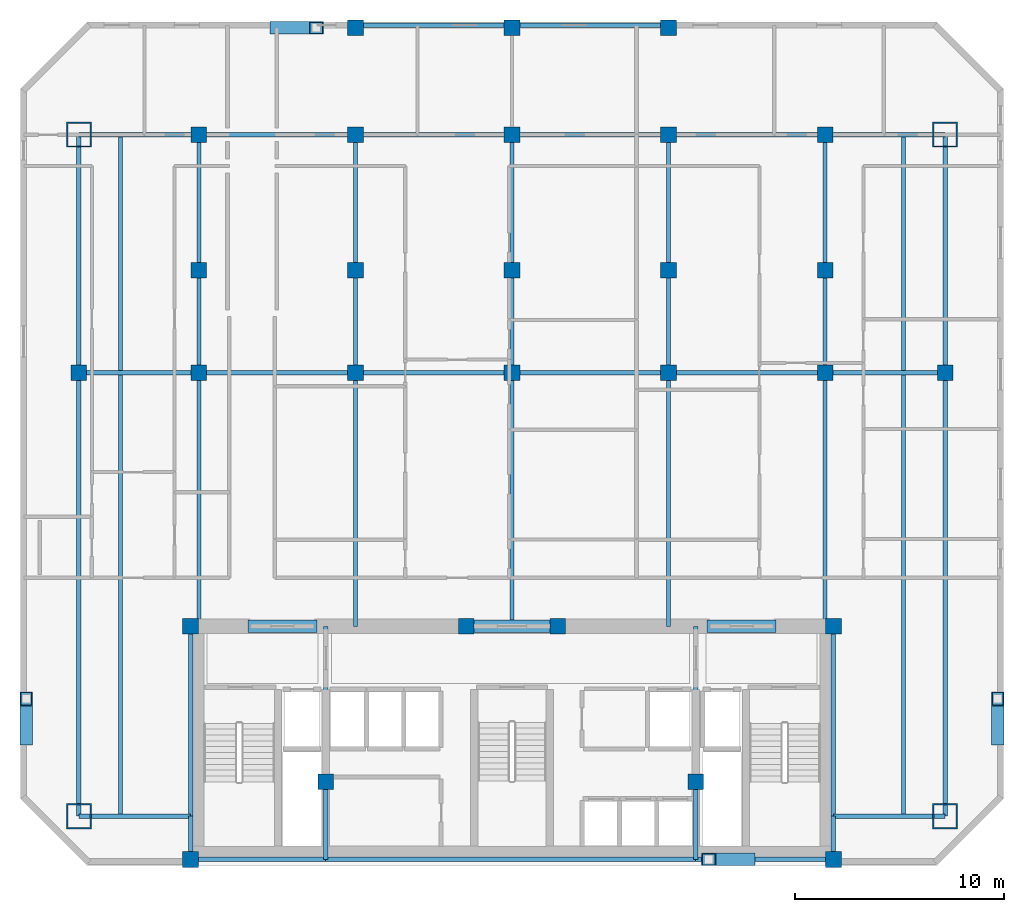
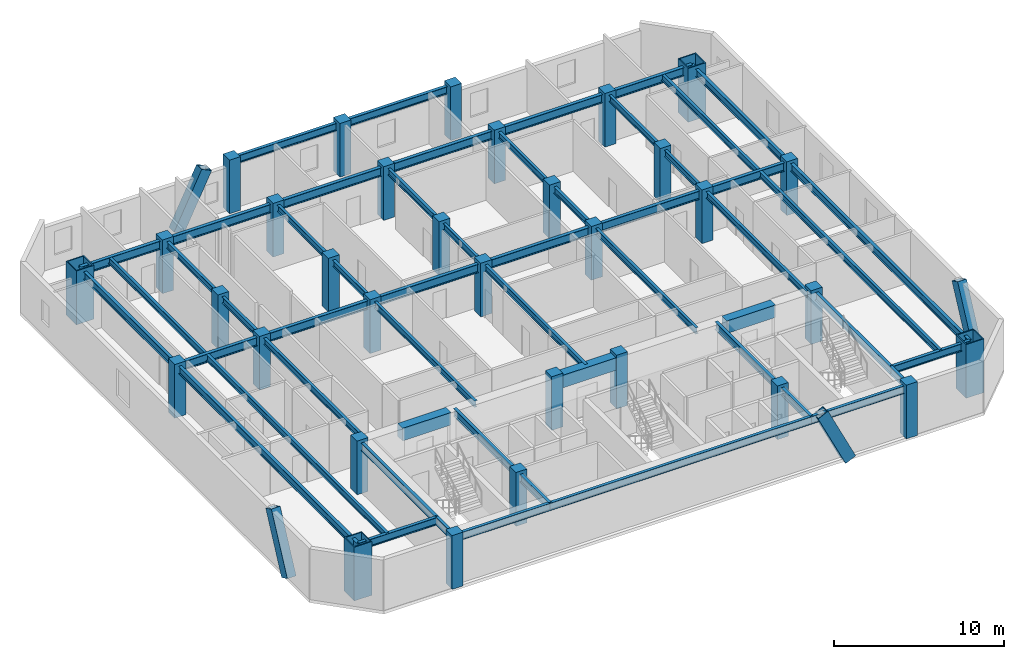
# One storey, part 1 of 8: 48 beams, 32 columns, 4 members.
"""IFC4 building model written with IfcOpenShell, lengths in metres."""

from ifc_helpers import new_model, si_unit, direction, frame, origin, origin_2d, place, context, subcontext, project, spatial, rectangle, hollow_rectangle, i_section, extrude, material, material_profile, profile_set, type_object, element, save


model = new_model("IFC4")

# Units and contexts
model_context = context("Model", 3, precision=1e-05, world=origin(), true_north=direction((0.0, 1.0)))
body_context = subcontext(model_context, "Body", "Model", "MODEL_VIEW")
ifc_project = project(units=[si_unit("LENGTHUNIT", "METRE"), si_unit("AREAUNIT", "SQUARE_METRE"), si_unit("VOLUMEUNIT", "CUBIC_METRE"), si_unit("PLANEANGLEUNIT", "RADIAN"), si_unit("MASSUNIT", "GRAM", prefix="KILO")], contexts=[model_context])

# Site, building, storey
site_placement = place(None, origin())
site = spatial("IfcSite", under=ifc_project, at=site_placement, CompositionType="ELEMENT")
building_placement = place(site_placement, origin())
building = spatial("IfcBuilding", under=site, at=building_placement, Name="Ventersveld Concourse Tower", CompositionType="ELEMENT")
storey_placement = place(building_placement, frame((0.0, 0.0, 164.449951171875)))
storey = spatial("IfcBuildingStorey", under=building, at=storey_placement, Name="L40", CompositionType="ELEMENT", Elevation=164.449951171875)

# Columns
ifc_material_1 = material(Name="Concrete C50/60", Category="concrete")
ifc_material_profile_1 = material_profile(ifc_material_1, rectangle(XDim=0.75, YDim=0.75, at=origin_2d()), Name="RC 750x750")
ifc_profile_set_1 = profile_set([ifc_material_profile_1], Name="Concrete C50/60")
column_type_1 = type_object("IfcColumnType", Name="COL-RC750", PredefinedType="COLUMN", material=ifc_profile_set_1)
for number, where, z_axis, x_axis, name in (
    (1, (13.35009765625, 0.280029296875, 0.0), (0.0, 0.0, 1.0), (1.0, 0.0, 0.0), "L40 Core Spine Column CC-SW"),
    (2, (44.14990234375, 0.280029296875, 0.0), (0.0, 0.0, 1.0), (1.0, 0.0, 0.0), "L40 Core Spine Column CC-SE"),
    (3, (13.35009765625, 11.449951171875, 0.0), (0.0, 0.0, 1.0), (1.0, 0.0, 0.0), "L40 Core Spine Column CC-NW"),
    (4, (44.14990234375, 11.449951171875, 0.0), (0.0, 0.0, 1.0), (1.0, 0.0, 0.0), "L40 Core Spine Column CC-NE"),
    (5, (19.820068359375, 4.0, 0.0), (0.0, 0.0, 1.0), (1.0, 0.0, 0.0), "L40 Core Spine Column CM-1"),
    (6, (37.550048828125, 4.0, 0.0), (0.0, 0.0, 1.0), (1.0, 0.0, 0.0), "L40 Core Spine Column CM-2"),
    (7, (26.550048828125, 11.449951171875, 0.0), (0.0, 0.0, 1.0), (1.0, 0.0, 0.0), "L40 Core Spine Column CM-3"),
    (8, (30.949951171875, 11.449951171875, 0.0), (0.0, 0.0, 1.0), (1.0, 0.0, 0.0), "L40 Core Spine Column CM-4"),
    (9, (8.0, 23.60009765625, 0.0), (0.0, 0.0, 1.0), (1.0, 0.0, 0.0), "L40 Interior Gravity Column X=8.00 Y=23.60"),
    (10, (13.75, 23.60009765625, 0.0), (0.0, 0.0, 1.0), (1.0, 0.0, 0.0), "L40 Interior Gravity Column X=13.75 Y=23.60"),
    (11, (21.25, 23.60009765625, 0.0), (0.0, 0.0, 1.0), (1.0, 0.0, 0.0), "L40 Interior Gravity Column X=21.25 Y=23.60"),
    (12, (28.75, 23.60009765625, 0.0), (0.0, 0.0, 1.0), (1.0, 0.0, 0.0), "L40 Interior Gravity Column X=28.75 Y=23.60"),
    (13, (36.25, 23.60009765625, 0.0), (0.0, 0.0, 1.0), (1.0, 0.0, 0.0), "L40 Interior Gravity Column X=36.25 Y=23.60"),
    (14, (43.75, 23.60009765625, 0.0), (0.0, 0.0, 1.0), (1.0, 0.0, 0.0), "L40 Interior Gravity Column X=43.75 Y=23.60"),
    (15, (49.5, 23.60009765625, 0.0), (0.0, 0.0, 1.0), (1.0, 0.0, 0.0), "L40 Interior Gravity Column X=49.50 Y=23.60"),
    (16, (13.75, 28.5, 0.0), (0.0, 0.0, 1.0), (1.0, 0.0, 0.0), "L40 Upper-North Gravity Column X=13.75 Y=28.50"),
    (17, (21.25, 28.5, 0.0), (0.0, 0.0, 1.0), (1.0, 0.0, 0.0), "L40 Upper-North Gravity Column X=21.25 Y=28.50"),
    (18, (28.75, 28.5, 0.0), (0.0, 0.0, 1.0), (1.0, 0.0, 0.0), "L40 Upper-North Gravity Column X=28.75 Y=28.50"),
    (19, (36.25, 28.5, 0.0), (0.0, 0.0, 1.0), (1.0, 0.0, 0.0), "L40 Upper-North Gravity Column X=36.25 Y=28.50"),
    (20, (43.75, 28.5, 0.0), (0.0, 0.0, 1.0), (1.0, 0.0, 0.0), "L40 Upper-North Gravity Column X=43.75 Y=28.50"),
    (21, (21.25, 40.1201171875, 0.0), (0.0, 0.0, 1.0), (1.0, 0.0, 0.0), "L40 North Brace Node Column X=21.25 Y=40.12"),
    (22, (28.75, 40.1201171875, 0.0), (0.0, 0.0, 1.0), (1.0, 0.0, 0.0), "L40 North Brace Node Column X=28.75 Y=40.12"),
    (23, (36.25, 40.1201171875, 0.0), (0.0, 0.0, 1.0), (1.0, 0.0, 0.0), "L40 North Brace Node Column X=36.25 Y=40.12"),
    (24, (13.75, 35.0, 0.0), (0.0, 0.0, 1.0), (1.0, 0.0, 0.0), "L40 Mid-North Column X=13.75 Y=35.00"),
    (25, (21.25, 35.0, 0.0), (0.0, 0.0, 1.0), (1.0, 0.0, 0.0), "L40 Mid-North Column X=21.25 Y=35.00"),
    (26, (28.75, 35.0, 0.0), (0.0, 0.0, 1.0), (1.0, 0.0, 0.0), "L40 Mid-North Column X=28.75 Y=35.00"),
    (27, (36.25, 35.0, 0.0), (0.0, 0.0, 1.0), (1.0, 0.0, 0.0), "L40 Mid-North Column X=36.25 Y=35.00"),
    (28, (43.75, 35.0, 0.0), (0.0, 0.0, 1.0), (1.0, 0.0, 0.0), "L40 Mid-North Column X=43.75 Y=35.00"),
):
    element("IfcColumn", number, at=place(storey_placement, frame(where, z_axis=z_axis, x_axis=x_axis)), inside=storey, type_object=column_type_1, Name=name, PredefinedType="COLUMN", context=body_context, shape_type="SweptSolid", body=[
        extrude(rectangle(XDim=0.75, YDim=0.75, at=origin_2d()), origin(), (0.0, 0.0, 1.0), 3.85009765625),
    ])
ifc_material_2 = material(Name="Structural steel S460ML", Category="steel")
ifc_material_profile_2 = material_profile(ifc_material_2, hollow_rectangle(XDim=1.199951171875, YDim=1.199951171875, WallThickness=0.070068359375, at=origin_2d()), Name="BOX 1200x1200x70")
ifc_profile_set_2 = profile_set([ifc_material_profile_2], Name="Structural steel S460ML")
column_type_2 = type_object("IfcColumnType", Name="MC-1200", PredefinedType="USERDEFINED", material=ifc_profile_set_2)
for number, where, z_axis, x_axis, name in (
    (29, (8.0, 2.35009765625, 0.0), (0.0, 0.0, 1.0), (1.0, 0.0, 0.0), "L40 Corner Mega-Column MC-SW"),
    (30, (49.5, 2.35009765625, 0.0), (0.0, 0.0, 1.0), (1.0, 0.0, 0.0), "L40 Corner Mega-Column MC-SE"),
    (31, (49.5, 35.0, 0.0), (0.0, 0.0, 1.0), (1.0, 0.0, 0.0), "L40 Corner Mega-Column MC-NE"),
    (32, (8.0, 35.0, 0.0), (0.0, 0.0, 1.0), (1.0, 0.0, 0.0), "L40 Corner Mega-Column MC-NW"),
):
    element("IfcColumn", number, at=place(storey_placement, frame(where, z_axis=z_axis, x_axis=x_axis)), inside=storey, type_object=column_type_2, Name=name, ObjectType="MEGA_COLUMN", PredefinedType="USERDEFINED", context=body_context, shape_type="SweptSolid", body=[
        extrude(hollow_rectangle(XDim=1.199951171875, YDim=1.199951171875, WallThickness=0.070068359375, at=origin_2d()), origin(), (0.0, 0.0, 1.0), 3.85009765625),
    ])

# Beams
ifc_material_3 = material(Name="Structural steel S355J2", Category="steel")
ifc_material_profile_3 = material_profile(ifc_material_3, i_section(OverallWidth=0.18994140625, OverallDepth=0.453369140625, WebThickness=0.008544921875, FlangeThickness=0.0126953125, FilletRadius=0.01025390625, at=origin_2d()), Name="UB 457x191x67")
ifc_profile_set_3 = profile_set([ifc_material_profile_3], Name="Structural steel S355J2")
beam_type_1 = type_object("IfcBeamType", Name="BM-UB457", PredefinedType="BEAM", material=ifc_profile_set_3)
beam_1_placement = place(storey_placement, frame((10.0, 2.35009765625, 3.4033203125), z_axis=(0.0, 1.0, 0.0), x_axis=(-1.0, 0.0, 0.0)))
element("IfcBeam", 33, at=beam_1_placement, inside=storey, type_object=beam_type_1, Name="L40 N-S Composite Floor Beam South X=10.00", PredefinedType="BEAM", context=body_context, shape_type="SweptSolid", body=[
    extrude(i_section(OverallWidth=0.18994140625, OverallDepth=0.453369140625, WebThickness=0.008544921875, FlangeThickness=0.0126953125, FilletRadius=0.01025390625, at=origin_2d()), origin(), (0.0, 0.0, 1.0), 21.15478515625),
])
beam_2_placement = place(storey_placement, frame((10.0, 23.695068359375, 3.4033203125), z_axis=(0.0, 1.0, 0.0), x_axis=(-1.0, 0.0, 0.0)))
element("IfcBeam", 34, at=beam_2_placement, inside=storey, type_object=beam_type_1, Name="L40 N-S Composite Floor Beam Mid X=10.00", PredefinedType="BEAM", context=body_context, shape_type="SweptSolid", body=[
    extrude(i_section(OverallWidth=0.18994140625, OverallDepth=0.453369140625, WebThickness=0.008544921875, FlangeThickness=0.0126953125, FilletRadius=0.01025390625, at=origin_2d()), origin(), (0.0, 0.0, 1.0), 11.304931640625),
])
beam_3_placement = place(storey_placement, frame((13.75, 11.449951171875, 3.4033203125), z_axis=(0.0, 1.0, 0.0), x_axis=(-1.0, 0.0, 0.0)))
element("IfcBeam", 35, at=beam_3_placement, inside=storey, type_object=beam_type_1, Name="L40 N-S Composite Floor Beam South X=13.75", PredefinedType="BEAM", context=body_context, shape_type="SweptSolid", body=[
    extrude(i_section(OverallWidth=0.18994140625, OverallDepth=0.453369140625, WebThickness=0.008544921875, FlangeThickness=0.0126953125, FilletRadius=0.01025390625, at=origin_2d()), origin(), (0.0, 0.0, 1.0), 12.150146484375),
])
beam_4_placement = place(storey_placement, frame((13.75, 23.60009765625, 3.4033203125), z_axis=(0.0, 1.0, 0.0), x_axis=(-1.0, 0.0, 0.0)))
element("IfcBeam", 36, at=beam_4_placement, inside=storey, type_object=beam_type_1, Name="L40 N-S Composite Floor Beam Mid X=13.75", PredefinedType="BEAM", context=body_context, shape_type="SweptSolid", body=[
    extrude(i_section(OverallWidth=0.18994140625, OverallDepth=0.453369140625, WebThickness=0.008544921875, FlangeThickness=0.0126953125, FilletRadius=0.01025390625, at=origin_2d()), origin(), (0.0, 0.0, 1.0), 11.39990234375),
])
beam_5_placement = place(storey_placement, frame((21.25, 11.449951171875, 3.4033203125), z_axis=(0.0, 1.0, 0.0), x_axis=(-1.0, 0.0, 0.0)))
element("IfcBeam", 37, at=beam_5_placement, inside=storey, type_object=beam_type_1, Name="L40 N-S Composite Floor Beam South X=21.25", PredefinedType="BEAM", context=body_context, shape_type="SweptSolid", body=[
    extrude(i_section(OverallWidth=0.18994140625, OverallDepth=0.453369140625, WebThickness=0.008544921875, FlangeThickness=0.0126953125, FilletRadius=0.01025390625, at=origin_2d()), origin(), (0.0, 0.0, 1.0), 12.150146484375),
])
beam_6_placement = place(storey_placement, frame((21.25, 23.60009765625, 3.4033203125), z_axis=(0.0, 1.0, 0.0), x_axis=(-1.0, 0.0, 0.0)))
element("IfcBeam", 38, at=beam_6_placement, inside=storey, type_object=beam_type_1, Name="L40 N-S Composite Floor Beam Mid X=21.25", PredefinedType="BEAM", context=body_context, shape_type="SweptSolid", body=[
    extrude(i_section(OverallWidth=0.18994140625, OverallDepth=0.453369140625, WebThickness=0.008544921875, FlangeThickness=0.0126953125, FilletRadius=0.01025390625, at=origin_2d()), origin(), (0.0, 0.0, 1.0), 11.39990234375),
])
beam_7_placement = place(storey_placement, frame((28.75, 11.449951171875, 3.4033203125), z_axis=(0.0, 1.0, 0.0), x_axis=(-1.0, 0.0, 0.0)))
element("IfcBeam", 39, at=beam_7_placement, inside=storey, type_object=beam_type_1, Name="L40 N-S Composite Floor Beam South X=28.75", PredefinedType="BEAM", context=body_context, shape_type="SweptSolid", body=[
    extrude(i_section(OverallWidth=0.18994140625, OverallDepth=0.453369140625, WebThickness=0.008544921875, FlangeThickness=0.0126953125, FilletRadius=0.01025390625, at=origin_2d()), origin(), (0.0, 0.0, 1.0), 12.150146484375),
])
beam_8_placement = place(storey_placement, frame((28.75, 23.60009765625, 3.4033203125), z_axis=(0.0, 1.0, 0.0), x_axis=(-1.0, 0.0, 0.0)))
element("IfcBeam", 40, at=beam_8_placement, inside=storey, type_object=beam_type_1, Name="L40 N-S Composite Floor Beam Mid X=28.75", PredefinedType="BEAM", context=body_context, shape_type="SweptSolid", body=[
    extrude(i_section(OverallWidth=0.18994140625, OverallDepth=0.453369140625, WebThickness=0.008544921875, FlangeThickness=0.0126953125, FilletRadius=0.01025390625, at=origin_2d()), origin(), (0.0, 0.0, 1.0), 11.39990234375),
])
beam_9_placement = place(storey_placement, frame((36.25, 11.449951171875, 3.4033203125), z_axis=(0.0, 1.0, 0.0), x_axis=(-1.0, 0.0, 0.0)))
element("IfcBeam", 41, at=beam_9_placement, inside=storey, type_object=beam_type_1, Name="L40 N-S Composite Floor Beam South X=36.25", PredefinedType="BEAM", context=body_context, shape_type="SweptSolid", body=[
    extrude(i_section(OverallWidth=0.18994140625, OverallDepth=0.453369140625, WebThickness=0.008544921875, FlangeThickness=0.0126953125, FilletRadius=0.01025390625, at=origin_2d()), origin(), (0.0, 0.0, 1.0), 12.150146484375),
])
beam_10_placement = place(storey_placement, frame((36.25, 23.60009765625, 3.4033203125), z_axis=(0.0, 1.0, 0.0), x_axis=(-1.0, 0.0, 0.0)))
element("IfcBeam", 42, at=beam_10_placement, inside=storey, type_object=beam_type_1, Name="L40 N-S Composite Floor Beam Mid X=36.25", PredefinedType="BEAM", context=body_context, shape_type="SweptSolid", body=[
    extrude(i_section(OverallWidth=0.18994140625, OverallDepth=0.453369140625, WebThickness=0.008544921875, FlangeThickness=0.0126953125, FilletRadius=0.01025390625, at=origin_2d()), origin(), (0.0, 0.0, 1.0), 11.39990234375),
])
beam_11_placement = place(storey_placement, frame((43.75, 11.449951171875, 3.4033203125), z_axis=(0.0, 1.0, 0.0), x_axis=(-1.0, 0.0, 0.0)))
element("IfcBeam", 43, at=beam_11_placement, inside=storey, type_object=beam_type_1, Name="L40 N-S Composite Floor Beam South X=43.75", PredefinedType="BEAM", context=body_context, shape_type="SweptSolid", body=[
    extrude(i_section(OverallWidth=0.18994140625, OverallDepth=0.453369140625, WebThickness=0.008544921875, FlangeThickness=0.0126953125, FilletRadius=0.01025390625, at=origin_2d()), origin(), (0.0, 0.0, 1.0), 12.150146484375),
])
beam_12_placement = place(storey_placement, frame((43.75, 23.60009765625, 3.4033203125), z_axis=(0.0, 1.0, 0.0), x_axis=(-1.0, 0.0, 0.0)))
element("IfcBeam", 44, at=beam_12_placement, inside=storey, type_object=beam_type_1, Name="L40 N-S Composite Floor Beam Mid X=43.75", PredefinedType="BEAM", context=body_context, shape_type="SweptSolid", body=[
    extrude(i_section(OverallWidth=0.18994140625, OverallDepth=0.453369140625, WebThickness=0.008544921875, FlangeThickness=0.0126953125, FilletRadius=0.01025390625, at=origin_2d()), origin(), (0.0, 0.0, 1.0), 11.39990234375),
])
beam_13_placement = place(storey_placement, frame((47.5, 2.35009765625, 3.4033203125), z_axis=(0.0, 1.0, 0.0), x_axis=(-1.0, 0.0, 0.0)))
element("IfcBeam", 45, at=beam_13_placement, inside=storey, type_object=beam_type_1, Name="L40 N-S Composite Floor Beam South X=47.50", PredefinedType="BEAM", context=body_context, shape_type="SweptSolid", body=[
    extrude(i_section(OverallWidth=0.18994140625, OverallDepth=0.453369140625, WebThickness=0.008544921875, FlangeThickness=0.0126953125, FilletRadius=0.01025390625, at=origin_2d()), origin(), (0.0, 0.0, 1.0), 21.15478515625),
])
beam_14_placement = place(storey_placement, frame((47.5, 23.695068359375, 3.4033203125), z_axis=(0.0, 1.0, 0.0), x_axis=(-1.0, 0.0, 0.0)))
element("IfcBeam", 46, at=beam_14_placement, inside=storey, type_object=beam_type_1, Name="L40 N-S Composite Floor Beam Mid X=47.50", PredefinedType="BEAM", context=body_context, shape_type="SweptSolid", body=[
    extrude(i_section(OverallWidth=0.18994140625, OverallDepth=0.453369140625, WebThickness=0.008544921875, FlangeThickness=0.0126953125, FilletRadius=0.01025390625, at=origin_2d()), origin(), (0.0, 0.0, 1.0), 11.304931640625),
])
ifc_material_4 = material(Name="Concrete C60/75", Category="concrete")
ifc_material_profile_4 = material_profile(ifc_material_4, rectangle(XDim=0.60009765625, YDim=0.89990234375, at=origin_2d()), Name="RC 600x900")
ifc_profile_set_4 = profile_set([ifc_material_profile_4], Name="Concrete C60/75")
beam_type_2 = type_object("IfcBeamType", Name="CB-RC600x900L", PredefinedType="LINTEL", material=ifc_profile_set_4)
beam_15_placement = place(storey_placement, frame((16.10009765625, 11.449951171875, 3.179931640625), z_axis=(1.0, 0.0, 0.0), x_axis=(0.0, 1.0, 0.0)))
element("IfcBeam", 47, at=beam_15_placement, inside=storey, type_object=beam_type_2, Name="L40 Core Coupling Lintel Beam 1", PredefinedType="LINTEL", context=body_context, shape_type="SweptSolid", body=[
    extrude(rectangle(XDim=0.60009765625, YDim=0.89990234375, at=origin_2d()), origin(), (0.0, 0.0, 1.0), 3.2998046875),
])
beam_16_placement = place(storey_placement, frame((26.5, 11.449951171875, 3.179931640625), z_axis=(1.0, 0.0, 0.0), x_axis=(0.0, 1.0, 0.0)))
element("IfcBeam", 48, at=beam_16_placement, inside=storey, type_object=beam_type_2, Name="L40 Core Coupling Lintel Beam 2", PredefinedType="LINTEL", context=body_context, shape_type="SweptSolid", body=[
    extrude(rectangle(XDim=0.60009765625, YDim=0.89990234375, at=origin_2d()), origin(), (0.0, 0.0, 1.0), 4.5),
])
beam_17_placement = place(storey_placement, frame((38.10009765625, 11.449951171875, 3.179931640625), z_axis=(1.0, 0.0, 0.0), x_axis=(0.0, 1.0, 0.0)))
element("IfcBeam", 49, at=beam_17_placement, inside=storey, type_object=beam_type_2, Name="L40 Core Coupling Lintel Beam 3", PredefinedType="LINTEL", context=body_context, shape_type="SweptSolid", body=[
    extrude(rectangle(XDim=0.60009765625, YDim=0.89990234375, at=origin_2d()), origin(), (0.0, 0.0, 1.0), 3.2998046875),
])
ifc_material_profile_5 = material_profile(ifc_material_3, i_section(OverallWidth=0.2119140625, OverallDepth=0.54443359375, WebThickness=0.0126953125, FlangeThickness=0.021240234375, FilletRadius=0.0126953125, at=origin_2d()), Name="UB 533x210x122")
ifc_profile_set_5 = profile_set([ifc_material_profile_5], Name="Structural steel S355J2")
beam_type_3 = type_object("IfcBeamType", Name="GRD-UB533H", PredefinedType="T_BEAM", material=ifc_profile_set_5)
beam_18_placement = place(storey_placement, frame((13.35009765625, 0.280029296875, 3.357666015625), z_axis=(0.0, 1.0, 0.0), x_axis=(-1.0, 0.0, 0.0)))
element("IfcBeam", 50, at=beam_18_placement, inside=storey, type_object=beam_type_3, Name="L40 Core West Tie Beam S", PredefinedType="T_BEAM", context=body_context, shape_type="SweptSolid", body=[
    extrude(i_section(OverallWidth=0.2119140625, OverallDepth=0.54443359375, WebThickness=0.0126953125, FlangeThickness=0.021240234375, FilletRadius=0.0126953125, at=origin_2d()), origin(), (0.0, 0.0, 1.0), 2.070068359375),
])
beam_19_placement = place(storey_placement, frame((13.35009765625, 2.35009765625, 3.357666015625), z_axis=(0.0, 1.0, 0.0), x_axis=(-1.0, 0.0, 0.0)))
element("IfcBeam", 51, at=beam_19_placement, inside=storey, type_object=beam_type_3, Name="L40 Core West Tie Beam N", PredefinedType="T_BEAM", context=body_context, shape_type="SweptSolid", body=[
    extrude(i_section(OverallWidth=0.2119140625, OverallDepth=0.54443359375, WebThickness=0.0126953125, FlangeThickness=0.021240234375, FilletRadius=0.0126953125, at=origin_2d()), origin(), (0.0, 0.0, 1.0), 9.099853515625),
])
beam_20_placement = place(storey_placement, frame((44.14990234375, 0.280029296875, 3.357666015625), z_axis=(0.0, 1.0, 0.0), x_axis=(-1.0, 0.0, 0.0)))
element("IfcBeam", 52, at=beam_20_placement, inside=storey, type_object=beam_type_3, Name="L40 Core East Tie Beam S", PredefinedType="T_BEAM", context=body_context, shape_type="SweptSolid", body=[
    extrude(i_section(OverallWidth=0.2119140625, OverallDepth=0.54443359375, WebThickness=0.0126953125, FlangeThickness=0.021240234375, FilletRadius=0.0126953125, at=origin_2d()), origin(), (0.0, 0.0, 1.0), 2.070068359375),
])
beam_21_placement = place(storey_placement, frame((44.14990234375, 2.35009765625, 3.357666015625), z_axis=(0.0, 1.0, 0.0), x_axis=(-1.0, 0.0, 0.0)))
element("IfcBeam", 53, at=beam_21_placement, inside=storey, type_object=beam_type_3, Name="L40 Core East Tie Beam N", PredefinedType="T_BEAM", context=body_context, shape_type="SweptSolid", body=[
    extrude(i_section(OverallWidth=0.2119140625, OverallDepth=0.54443359375, WebThickness=0.0126953125, FlangeThickness=0.021240234375, FilletRadius=0.0126953125, at=origin_2d()), origin(), (0.0, 0.0, 1.0), 9.099853515625),
])
beam_22_placement = place(storey_placement, frame((13.35009765625, 0.280029296875, 3.357666015625), z_axis=(1.0, 0.0, 0.0), x_axis=(0.0, 1.0, 0.0)))
element("IfcBeam", 54, at=beam_22_placement, inside=storey, type_object=beam_type_3, Name="L40 Core South Tie Beam W", PredefinedType="T_BEAM", context=body_context, shape_type="SweptSolid", body=[
    extrude(i_section(OverallWidth=0.2119140625, OverallDepth=0.54443359375, WebThickness=0.0126953125, FlangeThickness=0.021240234375, FilletRadius=0.0126953125, at=origin_2d()), origin(), (0.0, 0.0, 1.0), 6.469970703125),
])
beam_23_placement = place(storey_placement, frame((19.820068359375, 0.280029296875, 3.357666015625), z_axis=(1.0, 0.0, 0.0), x_axis=(0.0, 1.0, 0.0)))
element("IfcBeam", 55, at=beam_23_placement, inside=storey, type_object=beam_type_3, Name="L40 Core South Tie Beam C", PredefinedType="T_BEAM", context=body_context, shape_type="SweptSolid", body=[
    extrude(i_section(OverallWidth=0.2119140625, OverallDepth=0.54443359375, WebThickness=0.0126953125, FlangeThickness=0.021240234375, FilletRadius=0.0126953125, at=origin_2d()), origin(), (0.0, 0.0, 1.0), 17.72998046875),
])
beam_24_placement = place(storey_placement, frame((37.550048828125, 0.280029296875, 3.357666015625), z_axis=(1.0, 0.0, 0.0), x_axis=(0.0, 1.0, 0.0)))
element("IfcBeam", 56, at=beam_24_placement, inside=storey, type_object=beam_type_3, Name="L40 Core South Tie Beam E", PredefinedType="T_BEAM", context=body_context, shape_type="SweptSolid", body=[
    extrude(i_section(OverallWidth=0.2119140625, OverallDepth=0.54443359375, WebThickness=0.0126953125, FlangeThickness=0.021240234375, FilletRadius=0.0126953125, at=origin_2d()), origin(), (0.0, 0.0, 1.0), 6.599853515625),
])
beam_25_placement = place(storey_placement, frame((19.820068359375, 0.280029296875, 3.357666015625), z_axis=(0.0, 1.0, 0.0), x_axis=(-1.0, 0.0, 0.0)))
element("IfcBeam", 57, at=beam_25_placement, inside=storey, type_object=beam_type_3, Name="L40 Core Spine N-S Tie Beam W1", PredefinedType="T_BEAM", context=body_context, shape_type="SweptSolid", body=[
    extrude(i_section(OverallWidth=0.2119140625, OverallDepth=0.54443359375, WebThickness=0.0126953125, FlangeThickness=0.021240234375, FilletRadius=0.0126953125, at=origin_2d()), origin(), (0.0, 0.0, 1.0), 3.719970703125),
])
beam_26_placement = place(storey_placement, frame((19.820068359375, 4.0, 3.357666015625), z_axis=(0.0, 1.0, 0.0), x_axis=(-1.0, 0.0, 0.0)))
element("IfcBeam", 58, at=beam_26_placement, inside=storey, type_object=beam_type_3, Name="L40 Core Spine N-S Tie Beam W2", PredefinedType="T_BEAM", context=body_context, shape_type="SweptSolid", body=[
    extrude(i_section(OverallWidth=0.2119140625, OverallDepth=0.54443359375, WebThickness=0.0126953125, FlangeThickness=0.021240234375, FilletRadius=0.0126953125, at=origin_2d()), origin(), (0.0, 0.0, 1.0), 7.449951171875),
])
beam_27_placement = place(storey_placement, frame((37.550048828125, 0.280029296875, 3.357666015625), z_axis=(0.0, 1.0, 0.0), x_axis=(-1.0, 0.0, 0.0)))
element("IfcBeam", 59, at=beam_27_placement, inside=storey, type_object=beam_type_3, Name="L40 Core Spine N-S Tie Beam E1", PredefinedType="T_BEAM", context=body_context, shape_type="SweptSolid", body=[
    extrude(i_section(OverallWidth=0.2119140625, OverallDepth=0.54443359375, WebThickness=0.0126953125, FlangeThickness=0.021240234375, FilletRadius=0.0126953125, at=origin_2d()), origin(), (0.0, 0.0, 1.0), 3.719970703125),
])
beam_28_placement = place(storey_placement, frame((37.550048828125, 4.0, 3.357666015625), z_axis=(0.0, 1.0, 0.0), x_axis=(-1.0, 0.0, 0.0)))
element("IfcBeam", 60, at=beam_28_placement, inside=storey, type_object=beam_type_3, Name="L40 Core Spine N-S Tie Beam E2", PredefinedType="T_BEAM", context=body_context, shape_type="SweptSolid", body=[
    extrude(i_section(OverallWidth=0.2119140625, OverallDepth=0.54443359375, WebThickness=0.0126953125, FlangeThickness=0.021240234375, FilletRadius=0.0126953125, at=origin_2d()), origin(), (0.0, 0.0, 1.0), 7.449951171875),
])
ifc_material_profile_6 = material_profile(ifc_material_3, i_section(OverallWidth=0.230224609375, OverallDepth=0.6171875, WebThickness=0.01318359375, FlangeThickness=0.022216796875, FilletRadius=0.0126953125, at=origin_2d()), Name="UB 610x229x140")
ifc_profile_set_6 = profile_set([ifc_material_profile_6], Name="Structural steel S355J2")
beam_type_4 = type_object("IfcBeamType", Name="GRD-UB610", PredefinedType="USERDEFINED", material=ifc_profile_set_6)
beam_29_placement = place(storey_placement, frame((8.0, 23.60009765625, 3.321533203125), z_axis=(1.0, 0.0, 0.0), x_axis=(0.0, 1.0, 0.0)))
element("IfcBeam", 61, at=beam_29_placement, inside=storey, type_object=beam_type_4, Name="L40 Primary E-W Grid Girder Y=23.60 #1", ObjectType="GIRDER", PredefinedType="USERDEFINED", context=body_context, shape_type="SweptSolid", body=[
    extrude(i_section(OverallWidth=0.230224609375, OverallDepth=0.6171875, WebThickness=0.01318359375, FlangeThickness=0.022216796875, FilletRadius=0.0126953125, at=origin_2d()), origin(), (0.0, 0.0, 1.0), 5.75),
])
for number, where, z_axis, x_axis, name in (
    (62, (13.75, 23.60009765625, 3.321533203125), (1.0, 0.0, 0.0), (0.0, 1.0, 0.0), "L40 Primary E-W Grid Girder Y=23.60 #2"),
    (63, (21.25, 23.60009765625, 3.321533203125), (1.0, 0.0, 0.0), (0.0, 1.0, 0.0), "L40 Primary E-W Grid Girder Y=23.60 #3"),
    (64, (28.75, 23.60009765625, 3.321533203125), (1.0, 0.0, 0.0), (0.0, 1.0, 0.0), "L40 Primary E-W Grid Girder Y=23.60 #4"),
    (65, (36.25, 23.60009765625, 3.321533203125), (1.0, 0.0, 0.0), (0.0, 1.0, 0.0), "L40 Primary E-W Grid Girder Y=23.60 #5"),
):
    element("IfcBeam", number, at=place(storey_placement, frame(where, z_axis=z_axis, x_axis=x_axis)), inside=storey, type_object=beam_type_4, Name=name, ObjectType="GIRDER", PredefinedType="USERDEFINED", context=body_context, shape_type="SweptSolid", body=[
        extrude(i_section(OverallWidth=0.230224609375, OverallDepth=0.6171875, WebThickness=0.01318359375, FlangeThickness=0.022216796875, FilletRadius=0.0126953125, at=origin_2d()), origin(), (0.0, 0.0, 1.0), 7.5),
    ])
for number, where, z_axis, x_axis, name in (
    (66, (43.75, 23.60009765625, 3.321533203125), (1.0, 0.0, 0.0), (0.0, 1.0, 0.0), "L40 Primary E-W Grid Girder Y=23.60 #6"),
    (67, (8.0, 35.0, 3.321533203125), (1.0, 0.0, 0.0), (0.0, 1.0, 0.0), "L40 E-W Grid Girder Y=35.00 #1"),
):
    element("IfcBeam", number, at=place(storey_placement, frame(where, z_axis=z_axis, x_axis=x_axis)), inside=storey, type_object=beam_type_4, Name=name, ObjectType="GIRDER", PredefinedType="USERDEFINED", context=body_context, shape_type="SweptSolid", body=[
        extrude(i_section(OverallWidth=0.230224609375, OverallDepth=0.6171875, WebThickness=0.01318359375, FlangeThickness=0.022216796875, FilletRadius=0.0126953125, at=origin_2d()), origin(), (0.0, 0.0, 1.0), 5.75),
    ])
for number, where, z_axis, x_axis, name in (
    (68, (13.75, 35.0, 3.321533203125), (1.0, 0.0, 0.0), (0.0, 1.0, 0.0), "L40 E-W Grid Girder Y=35.00 #2"),
    (69, (21.25, 35.0, 3.321533203125), (1.0, 0.0, 0.0), (0.0, 1.0, 0.0), "L40 E-W Grid Girder Y=35.00 #3"),
    (70, (28.75, 35.0, 3.321533203125), (1.0, 0.0, 0.0), (0.0, 1.0, 0.0), "L40 E-W Grid Girder Y=35.00 #4"),
    (71, (36.25, 35.0, 3.321533203125), (1.0, 0.0, 0.0), (0.0, 1.0, 0.0), "L40 E-W Grid Girder Y=35.00 #5"),
):
    element("IfcBeam", number, at=place(storey_placement, frame(where, z_axis=z_axis, x_axis=x_axis)), inside=storey, type_object=beam_type_4, Name=name, ObjectType="GIRDER", PredefinedType="USERDEFINED", context=body_context, shape_type="SweptSolid", body=[
        extrude(i_section(OverallWidth=0.230224609375, OverallDepth=0.6171875, WebThickness=0.01318359375, FlangeThickness=0.022216796875, FilletRadius=0.0126953125, at=origin_2d()), origin(), (0.0, 0.0, 1.0), 7.5),
    ])
beam_30_placement = place(storey_placement, frame((43.75, 35.0, 3.321533203125), z_axis=(1.0, 0.0, 0.0), x_axis=(0.0, 1.0, 0.0)))
element("IfcBeam", 72, at=beam_30_placement, inside=storey, type_object=beam_type_4, Name="L40 E-W Grid Girder Y=35.00 #6", ObjectType="GIRDER", PredefinedType="USERDEFINED", context=body_context, shape_type="SweptSolid", body=[
    extrude(i_section(OverallWidth=0.230224609375, OverallDepth=0.6171875, WebThickness=0.01318359375, FlangeThickness=0.022216796875, FilletRadius=0.0126953125, at=origin_2d()), origin(), (0.0, 0.0, 1.0), 5.75),
])

# Members
ifc_material_5 = material(Name="Structural steel S355ML", Category="steel")
ifc_material_profile_7 = material_profile(ifc_material_5, hollow_rectangle(XDim=0.60009765625, YDim=0.75, WallThickness=0.0400390625, at=origin_2d()), Name="BOX 750x600x40")
ifc_profile_set_7 = profile_set([ifc_material_profile_7], Name="Structural steel S355ML")
member_type = type_object("IfcMemberType", Name="MB-750x600", PredefinedType="BRACE", material=ifc_profile_set_7)
for number, where, z_axis, x_axis, name in (
    (73, (17.5, 40.1201171875, -0.219970703125), (0.437839464193, 0.0, 0.899053170616), (0.0, 1.0, 0.0), "L40 Exterior Mega-Brace N (Module M09)"),
    (74, (40.050048828125, 0.280029296875, -0.219970703125), (-0.437839464193, 0.0, 0.899053170616), (0.0, -1.0, 0.0), "L40 Exterior Mega-Brace S (Module M09)"),
    (75, (5.47998046875, 6.10009765625, -0.219970703125), (0.0, 0.437839464193, 0.899053170616), (-1.0, 0.0, 0.0), "L40 Exterior Mega-Brace W (Module M09)"),
    (76, (52.02001953125, 6.10009765625, -0.219970703125), (0.0, 0.437839464193, 0.899053170616), (-1.0, 0.0, 0.0), "L40 Exterior Mega-Brace E (Module M09)"),
):
    element("IfcMember", number, at=place(storey_placement, frame(where, z_axis=z_axis, x_axis=x_axis)), inside=storey, type_object=member_type, Name=name, PredefinedType="BRACE", context=body_context, shape_type="SweptSolid", body=[
        extrude(hollow_rectangle(XDim=0.60009765625, YDim=0.75, WallThickness=0.0400390625, at=origin_2d()), origin(), (0.0, 0.0, 1.0), 4.282470703125),
    ])

# Beams
ifc_material_profile_8 = material_profile(ifc_material_3, i_section(OverallWidth=0.2119140625, OverallDepth=0.54443359375, WebThickness=0.0126953125, FlangeThickness=0.021240234375, FilletRadius=0.0126953125, at=origin_2d()), Name="UB 533x210x122")
ifc_profile_set_8 = profile_set([ifc_material_profile_8], Name="Structural steel S355J2")
beam_type_5 = type_object("IfcBeamType", Name="SPD-UB533", PredefinedType="SPANDREL", material=ifc_profile_set_8)
for number, where, z_axis, x_axis, name in (
    (77, (8.0, 2.35009765625, 3.357666015625), (1.0, 0.0, 0.0), (0.0, 1.0, 0.0), "L40 SW Spandrel Beam"),
    (78, (44.14990234375, 2.35009765625, 3.357666015625), (1.0, 0.0, 0.0), (0.0, 1.0, 0.0), "L40 SE Spandrel Beam"),
):
    element("IfcBeam", number, at=place(storey_placement, frame(where, z_axis=z_axis, x_axis=x_axis)), inside=storey, type_object=beam_type_5, Name=name, PredefinedType="SPANDREL", context=body_context, shape_type="SweptSolid", body=[
        extrude(i_section(OverallWidth=0.2119140625, OverallDepth=0.54443359375, WebThickness=0.0126953125, FlangeThickness=0.021240234375, FilletRadius=0.0126953125, at=origin_2d()), origin(), (0.0, 0.0, 1.0), 5.35009765625),
    ])
beam_31_placement = place(storey_placement, frame((8.0, 2.35009765625, 3.357666015625), z_axis=(0.0, 1.0, 0.0), x_axis=(-1.0, 0.0, 0.0)))
element("IfcBeam", 79, at=beam_31_placement, inside=storey, type_object=beam_type_5, Name="L40 West Spandrel Beam S", PredefinedType="SPANDREL", context=body_context, shape_type="SweptSolid", body=[
    extrude(i_section(OverallWidth=0.2119140625, OverallDepth=0.54443359375, WebThickness=0.0126953125, FlangeThickness=0.021240234375, FilletRadius=0.0126953125, at=origin_2d()), origin(), (0.0, 0.0, 1.0), 21.25),
])
beam_32_placement = place(storey_placement, frame((8.0, 23.60009765625, 3.357666015625), z_axis=(0.0, 1.0, 0.0), x_axis=(-1.0, 0.0, 0.0)))
element("IfcBeam", 80, at=beam_32_placement, inside=storey, type_object=beam_type_5, Name="L40 West Spandrel Beam N", PredefinedType="SPANDREL", context=body_context, shape_type="SweptSolid", body=[
    extrude(i_section(OverallWidth=0.2119140625, OverallDepth=0.54443359375, WebThickness=0.0126953125, FlangeThickness=0.021240234375, FilletRadius=0.0126953125, at=origin_2d()), origin(), (0.0, 0.0, 1.0), 11.39990234375),
])
beam_33_placement = place(storey_placement, frame((49.5, 2.35009765625, 3.357666015625), z_axis=(0.0, 1.0, 0.0), x_axis=(-1.0, 0.0, 0.0)))
element("IfcBeam", 81, at=beam_33_placement, inside=storey, type_object=beam_type_5, Name="L40 East Spandrel Beam S", PredefinedType="SPANDREL", context=body_context, shape_type="SweptSolid", body=[
    extrude(i_section(OverallWidth=0.2119140625, OverallDepth=0.54443359375, WebThickness=0.0126953125, FlangeThickness=0.021240234375, FilletRadius=0.0126953125, at=origin_2d()), origin(), (0.0, 0.0, 1.0), 21.25),
])
beam_34_placement = place(storey_placement, frame((49.5, 23.60009765625, 3.357666015625), z_axis=(0.0, 1.0, 0.0), x_axis=(-1.0, 0.0, 0.0)))
element("IfcBeam", 82, at=beam_34_placement, inside=storey, type_object=beam_type_5, Name="L40 East Spandrel Beam N", PredefinedType="SPANDREL", context=body_context, shape_type="SweptSolid", body=[
    extrude(i_section(OverallWidth=0.2119140625, OverallDepth=0.54443359375, WebThickness=0.0126953125, FlangeThickness=0.021240234375, FilletRadius=0.0126953125, at=origin_2d()), origin(), (0.0, 0.0, 1.0), 11.39990234375),
])
for number, where, z_axis, x_axis, name in (
    (83, (21.25, 40.25, 3.357666015625), (1.0, 0.0, 0.0), (0.0, 1.0, 0.0), "L40 Terrace Edge Spandrel W"),
    (84, (28.75, 40.25, 3.357666015625), (1.0, 0.0, 0.0), (0.0, 1.0, 0.0), "L40 Terrace Edge Spandrel E"),
):
    element("IfcBeam", number, at=place(storey_placement, frame(where, z_axis=z_axis, x_axis=x_axis)), inside=storey, type_object=beam_type_5, Name=name, PredefinedType="SPANDREL", context=body_context, shape_type="SweptSolid", body=[
        extrude(i_section(OverallWidth=0.2119140625, OverallDepth=0.54443359375, WebThickness=0.0126953125, FlangeThickness=0.021240234375, FilletRadius=0.0126953125, at=origin_2d()), origin(), (0.0, 0.0, 1.0), 7.5),
    ])

save(model, "model.ifc")
